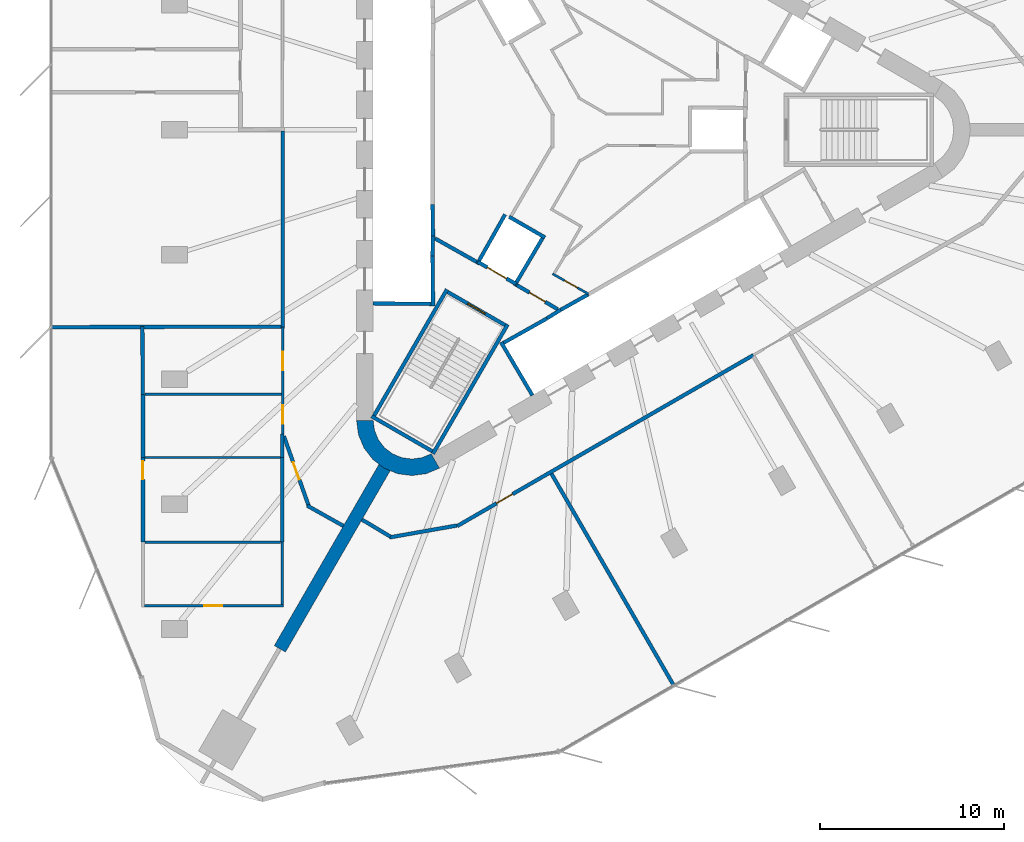
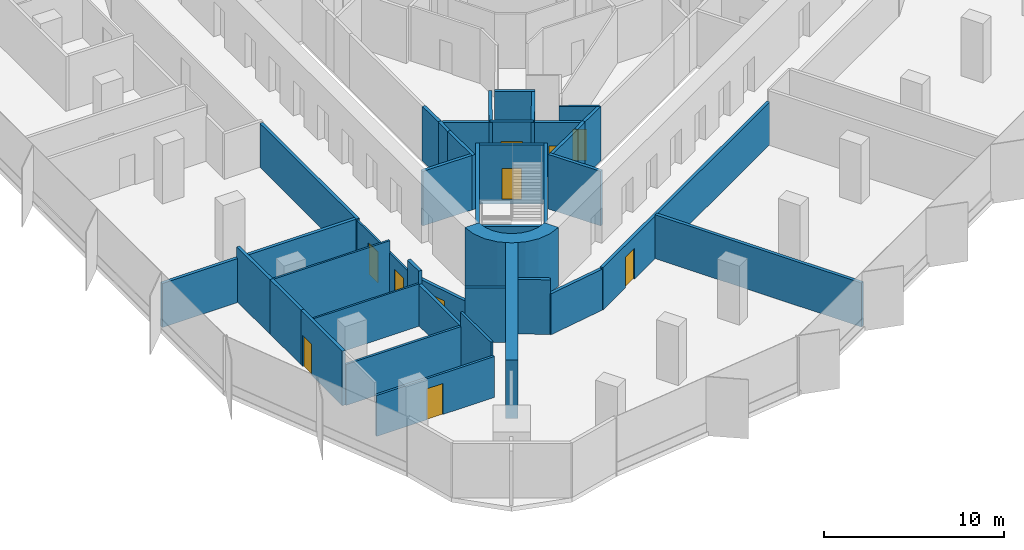
# One storey, part 8 of 14: 40 walls, 10 doors, 10 openings.
"""IFC4 building model written with IfcOpenShell, lengths in metres."""

from ifc_helpers import new_model, si_unit, direction, frame, frame_2d, origin, place, context, subcontext, project, spatial, polyline, rectangle, outline, extrude, material, layer, layer_set, type_object, element, fill, save


model = new_model("IFC4")

# Units and contexts
model_context = context("Model", 3, precision=1e-05, world=origin(), true_north=direction((0.0, 1.0)))
body_context = subcontext(model_context, "Body", "Model", "MODEL_VIEW")
ifc_project = project(units=[si_unit("LENGTHUNIT", "METRE"), si_unit("AREAUNIT", "SQUARE_METRE"), si_unit("VOLUMEUNIT", "CUBIC_METRE"), si_unit("PLANEANGLEUNIT", "RADIAN"), si_unit("MASSUNIT", "GRAM", prefix="KILO")], contexts=[model_context])

# Site, building, storey
site_placement = place(None, origin())
site = spatial("IfcSite", under=ifc_project, at=site_placement, CompositionType="ELEMENT")
building_placement = place(site_placement, origin())
building = spatial("IfcBuilding", under=site, at=building_placement, Name="Tanit Gate Tower", CompositionType="ELEMENT")
storey_placement = place(building_placement, frame((0.0, 0.0, 233.199951171875)))
storey = spatial("IfcBuildingStorey", under=building, at=storey_placement, Name="L52", CompositionType="ELEMENT", Elevation=233.199951171875)

# Walls
ifc_material_1 = material(Name="Concrete C50/60", Category="concrete")
ifc_layer_1 = layer(ifc_material_1, 0.699951171875)
ifc_layer_set_1 = layer_set([ifc_layer_1], Name="BUTTRESS FIN 700 C50/60")
wall_type_1 = type_object("IfcWallType", Name="BUTTRESS FIN 700 C50/60", PredefinedType="SHEAR", material=ifc_layer_set_1)
wall_1_placement = place(storey_placement, frame((-10.574951171875, -18.31640625, 0.0), z_axis=(0.0, 0.0, 1.0), x_axis=(-0.499996344484, -0.866027514288, 0.0)))
element("IfcWall", 1, at=wall_1_placement, inside=storey, type_object=wall_type_1, Name="BUTTRESS FIN", PredefinedType="SHEAR", context=body_context, shape_type="SweptSolid", body=[
    extrude(rectangle(XDim=11.3681640625, YDim=0.699951171875, at=frame_2d((5.68408203125, 0.0))), origin(), (0.0, 0.0, 1.0), 4.0),
])
ifc_material_2 = material(Name="Concrete C50/60", Category="concrete")
ifc_layer_2 = layer(ifc_material_2, 0.89990234375)
ifc_layer_set_2 = layer_set([ifc_layer_2], Name="CORE WALL 900 C50/60")
wall_type_2 = type_object("IfcWallType", Name="CORE WALL 900 C50/60", PredefinedType="SHEAR", material=ifc_layer_set_2)
wall_2_placement = place(storey_placement, origin())
element("IfcWall", 2, at=wall_2_placement, inside=storey, type_object=wall_type_2, Name="CORE WALL CORNER", PredefinedType="SHEAR", context=body_context, shape_type="SweptSolid", body=[
    extrude(outline(polyline([(-12.10009765625, -15.76171875), (-11.997802734375, -16.5380859375), (-11.697998046875, -17.26171875), (-11.22119140625, -17.883056640625), (-10.60009765625, -18.359619140625), (-9.87646484375, -18.659423828125), (-9.10009765625, -18.76171875), (-8.323486328125, -18.659423828125), (-7.60009765625, -18.359619140625), (-8.050048828125, -17.580322265625), (-8.556396484375, -17.7900390625), (-9.10009765625, -17.86181640625), (-9.6435546875, -17.7900390625), (-10.14990234375, -17.580322265625), (-10.5849609375, -17.24658203125), (-10.918701171875, -16.811767578125), (-11.12841796875, -16.30517578125), (-11.199951171875, -15.76171875), (-12.10009765625, -15.76171875)])), origin(), (0.0, 0.0, 1.0), 4.0),
])
ifc_material_3 = material(Name="Fire-rated gypsum board partition")
ifc_layer_3 = layer(ifc_material_3, 0.199951171875)
ifc_layer_set_3 = layer_set([ifc_layer_3], Name="INT-WALL-COMPARTMENT")
wall_type_3 = type_object("IfcWallType", Name="INT-WALL-COMPARTMENT", PredefinedType="PARTITIONING", material=ifc_layer_set_3)
wall_3_placement = place(storey_placement, frame((-7.84912109375, -5.893798828125, 0.0), z_axis=(0.0, 0.0, 1.0), x_axis=(0.871340486379, -0.490678873396, 0.0)))
element("IfcWall", 3, at=wall_3_placement, inside=storey, type_object=wall_type_3, Name="Wall Compartment W065", PredefinedType="PARTITIONING", context=body_context, shape_type="SweptSolid", body=[
    extrude(rectangle(XDim=2.580810546875, YDim=0.199951171875, at=frame_2d((1.29052734375, 0.0))), origin(), (0.0, 0.0, 1.0), 3.699951171875),
])

# Wall, opening, door
wall_4_placement = place(storey_placement, frame((-3.400634765625, -8.43017578125, 0.0), z_axis=(0.0, 0.0, 1.0), x_axis=(0.860598681535, -0.509283721849, 0.0)))
wall_4 = element("IfcWall", 4, at=wall_4_placement, inside=storey, type_object=wall_type_3, Name="Wall Compartment W066", PredefinedType="PARTITIONING", context=body_context, shape_type="SweptSolid", body=[
    extrude(rectangle(XDim=2.5810546875, YDim=0.199951171875, at=frame_2d((1.29052734375, 0.0))), origin(), (0.0, 0.0, 1.0), 3.699951171875),
])
opening_1_placement = place(wall_4_placement, frame((0.79052734375, 0.0, 0.0)))
opening_1 = element("IfcOpeningElement", 5, at=opening_1_placement, cuts=wall_4, Name="Opening F10-S14-08", PredefinedType="OPENING", context=body_context, shape_type="SweptSolid", body=[
    extrude(rectangle(XDim=1.0, YDim=2.10009765625, at=frame_2d((0.5, 1.050048828125))), frame((0.0, 0.10986328125, 0.0), z_axis=(0.0, -1.0, 0.0), x_axis=(1.0, 0.0, 0.0)), (0.0, 0.0, 1.0), 0.219970703125),
])
ifc_material_4 = material(Name="Fire-rated steel door leaf", Category="steel")
door_type_1 = type_object("IfcDoorType", Name="INT-DOOR-FIRE-1000", OperationType="NOTDEFINED", PredefinedType="USERDEFINED", material=ifc_material_4)
door_1_placement = place(opening_1_placement, origin())
door_1 = element("IfcDoor", 6, at=door_1_placement, inside=storey, type_object=door_type_1, Name="Door F10-S14-08", ObjectType="FIRE DOOR", OperationType="SINGLE_SWING_LEFT", OverallHeight=2.10009765625, OverallWidth=1.0, PredefinedType="USERDEFINED", context=body_context, shape_type="SweptSolid", body=[
    extrude(rectangle(XDim=1.0, YDim=2.10009765625, at=frame_2d((0.5, 1.050048828125))), frame((0.0, 0.02490234375, 0.0), z_axis=(0.0, -1.0, 0.0), x_axis=(1.0, 0.0, 0.0)), (0.0, 0.0, 1.0), 0.050048828125),
])
fill(opening_1, door_1)

# Wall
wall_5_placement = place(storey_placement, frame((-14.781005859375, -20.388671875, 0.0), z_axis=(0.0, 0.0, 1.0), x_axis=(0.871979734391, -0.489541972471, 0.0)))
element("IfcWall", 7, at=wall_5_placement, inside=storey, type_object=wall_type_3, Name="Wall Compartment W103", PredefinedType="PARTITIONING", context=body_context, shape_type="SweptSolid", body=[
    extrude(rectangle(XDim=2.256591796875, YDim=0.199951171875, at=frame_2d((1.12841796875, 0.0))), origin(), (0.0, 0.0, 1.0), 3.699951171875),
])

# Wall, opening, door
wall_6_placement = place(storey_placement, frame((-16.04248046875, -16.623046875, 0.0), z_axis=(0.0, 0.0, 1.0), x_axis=(0.335572111171, -0.942014521228, 0.0)))
wall_6 = element("IfcWall", 8, at=wall_6_placement, inside=storey, type_object=wall_type_3, Name="Wall Compartment W104", PredefinedType="PARTITIONING", context=body_context, shape_type="SweptSolid", body=[
    extrude(rectangle(XDim=4.00732421875, YDim=0.199951171875, at=frame_2d((2.003662109375, 0.0))), origin(), (0.0, 0.0, 1.0), 2.780029296875),
])
opening_2_placement = place(wall_6_placement, frame((1.503662109375, 0.0, 0.0)))
opening_2 = element("IfcOpeningElement", 9, at=opening_2_placement, cuts=wall_6, Name="Opening F10-S14-31", PredefinedType="OPENING", context=body_context, shape_type="SweptSolid", body=[
    extrude(rectangle(XDim=1.0, YDim=2.10009765625, at=frame_2d((0.5, 1.050048828125))), frame((0.0, 0.10986328125, 0.0), z_axis=(0.0, -1.0, 0.0), x_axis=(1.0, 0.0, 0.0)), (0.0, 0.0, 1.0), 0.219970703125),
])
door_2_placement = place(opening_2_placement, origin())
door_2 = element("IfcDoor", 10, at=door_2_placement, inside=storey, type_object=door_type_1, Name="Door F10-S14-31", ObjectType="FIRE DOOR", OperationType="SINGLE_SWING_LEFT", OverallHeight=2.10009765625, OverallWidth=1.0, PredefinedType="USERDEFINED", context=body_context, shape_type="SweptSolid", body=[
    extrude(rectangle(XDim=1.0, YDim=2.10009765625, at=frame_2d((0.5, 1.050048828125))), frame((0.0, 0.02490234375, 0.0), z_axis=(0.0, -1.0, 0.0), x_axis=(1.0, 0.0, 0.0)), (0.0, 0.0, 1.0), 0.050048828125),
])
fill(opening_2, door_2)

# Wall
wall_7_placement = place(storey_placement, frame((-16.10009765625, -0.070068359375, 0.0), z_axis=(0.0, 0.0, 1.0), x_axis=(0.0, -1.0, 0.0)))
element("IfcWall", 11, at=wall_7_placement, inside=storey, type_object=wall_type_3, Name="Wall Compartment W105", PredefinedType="PARTITIONING", context=body_context, shape_type="SweptSolid", body=[
    extrude(rectangle(XDim=10.709716796875, YDim=0.199951171875, at=frame_2d((5.35498046875, 0.0))), origin(), (0.0, 0.0, 1.0), 2.97998046875),
])

# Wall, opening, door
wall_8_placement = place(storey_placement, frame((-6.64404296875, -21.5029296875, 0.0), z_axis=(0.0, 0.0, 1.0), x_axis=(0.866020815794, 0.500007946548, 0.0)))
wall_8 = element("IfcWall", 12, at=wall_8_placement, inside=storey, type_object=wall_type_3, Name="Wall Compartment W120", PredefinedType="PARTITIONING", context=body_context, shape_type="SweptSolid", body=[
    extrude(rectangle(XDim=18.555419921875, YDim=0.199951171875, at=frame_2d((9.27783203125, 0.0))), origin(), (0.0, 0.0, 1.0), 2.880126953125),
])
opening_3_placement = place(wall_8_placement, frame((2.476806640625, 0.0, 0.0)))
opening_3 = element("IfcOpeningElement", 13, at=opening_3_placement, cuts=wall_8, Name="Opening F10-S14-38", PredefinedType="OPENING", context=body_context, shape_type="SweptSolid", body=[
    extrude(rectangle(XDim=1.0, YDim=2.10009765625, at=frame_2d((0.5, 1.050048828125))), frame((0.0, 0.10986328125, 0.0), z_axis=(0.0, -1.0, 0.0), x_axis=(1.0, 0.0, 0.0)), (0.0, 0.0, 1.0), 0.219970703125),
])
door_3_placement = place(opening_3_placement, origin())
door_3 = element("IfcDoor", 14, at=door_3_placement, inside=storey, type_object=door_type_1, Name="Door F10-S14-38", ObjectType="FIRE DOOR", OperationType="SINGLE_SWING_LEFT", OverallHeight=2.10009765625, OverallWidth=1.0, PredefinedType="USERDEFINED", context=body_context, shape_type="SweptSolid", body=[
    extrude(rectangle(XDim=1.0, YDim=2.10009765625, at=frame_2d((0.5, 1.050048828125))), frame((0.0, 0.02490234375, 0.0), z_axis=(0.0, -1.0, 0.0), x_axis=(1.0, 0.0, 0.0)), (0.0, 0.0, 1.0), 0.050048828125),
])
fill(opening_3, door_3)

# Walls
wall_9_placement = place(storey_placement, frame((-10.33154296875, -22.118408203125, 0.0), z_axis=(0.0, 0.0, 1.0), x_axis=(0.984805281118, 0.173662195893, 0.0)))
element("IfcWall", 15, at=wall_9_placement, inside=storey, type_object=wall_type_3, Name="Wall Compartment W121", PredefinedType="PARTITIONING", context=body_context, shape_type="SweptSolid", body=[
    extrude(rectangle(XDim=3.732421875, YDim=0.199951171875, at=frame_2d((1.8662109375, 0.0))), origin(), (0.0, 0.0, 1.0), 2.780029296875),
])
wall_10_placement = place(storey_placement, frame((-11.807373046875, -21.15087890625, 0.0), z_axis=(0.0, 0.0, 1.0), x_axis=(0.859102811579, -0.511803047214, 0.0)))
element("IfcWall", 16, at=wall_10_placement, inside=storey, type_object=wall_type_3, Name="Wall Compartment W122", PredefinedType="PARTITIONING", context=body_context, shape_type="SweptSolid", body=[
    extrude(rectangle(XDim=1.8017578125, YDim=0.199951171875, at=frame_2d((0.90087890625, 0.0))), origin(), (0.0, 0.0, 1.0), 3.699951171875),
])
wall_11_placement = place(storey_placement, frame((-28.654296875, -10.710693359375, 0.0), z_axis=(0.0, 0.0, 1.0), x_axis=(0.999996949666, 0.002469951104, 0.0)))
element("IfcWall", 17, at=wall_11_placement, inside=storey, type_object=wall_type_3, Name="Wall Compartment W125", PredefinedType="PARTITIONING", context=body_context, shape_type="SweptSolid", body=[
    extrude(rectangle(XDim=12.454345703125, YDim=0.199951171875, at=frame_2d((6.22705078125, 0.0))), origin(), (0.0, 0.0, 1.0), 2.97998046875),
])
wall_12_placement = place(storey_placement, frame((-23.6904296875, -14.3505859375, 0.0), z_axis=(0.0, 0.0, 1.0), x_axis=(-0.008048698241, 0.999967608704, 0.0)))
element("IfcWall", 18, at=wall_12_placement, inside=storey, type_object=wall_type_3, Name="Wall Compartment W128", PredefinedType="PARTITIONING", context=body_context, shape_type="SweptSolid", body=[
    extrude(rectangle(XDim=3.670166015625, YDim=0.199951171875, at=frame_2d((1.8349609375, 0.0))), origin(), (0.0, 0.0, 1.0), 3.699951171875),
])

# Wall, opening, door
wall_13_placement = place(storey_placement, frame((-23.68994140625, -22.373046875, 0.0), z_axis=(0.0, 0.0, 1.0), x_axis=(0.0, 1.0, 0.0)))
wall_13 = element("IfcWall", 19, at=wall_13_placement, inside=storey, type_object=wall_type_3, Name="Wall Compartment W131", PredefinedType="PARTITIONING", context=body_context, shape_type="SweptSolid", body=[
    extrude(rectangle(XDim=4.60009765625, YDim=0.199951171875, at=frame_2d((2.300048828125, 0.0))), origin(), (0.0, 0.0, 1.0), 3.699951171875),
])
opening_4_placement = place(wall_13_placement, frame((3.400146484375, 0.0, 0.0)))
opening_4 = element("IfcOpeningElement", 20, at=opening_4_placement, cuts=wall_13, Name="Opening F10-S14-29", PredefinedType="OPENING", context=body_context, shape_type="SweptSolid", body=[
    extrude(rectangle(XDim=1.0, YDim=2.10009765625, at=frame_2d((0.5, 1.050048828125))), frame((0.0, 0.10986328125, 0.0), z_axis=(0.0, -1.0, 0.0), x_axis=(1.0, 0.0, 0.0)), (0.0, 0.0, 1.0), 0.219970703125),
])
door_4_placement = place(opening_4_placement, origin())
door_4 = element("IfcDoor", 21, at=door_4_placement, inside=storey, type_object=door_type_1, Name="Door F10-S14-29", ObjectType="FIRE DOOR", OperationType="SINGLE_SWING_LEFT", OverallHeight=2.10009765625, OverallWidth=1.0, PredefinedType="USERDEFINED", context=body_context, shape_type="SweptSolid", body=[
    extrude(rectangle(XDim=1.0, YDim=2.10009765625, at=frame_2d((0.5, 1.050048828125))), frame((0.0, 0.02490234375, 0.0), z_axis=(0.0, -1.0, 0.0), x_axis=(1.0, 0.0, 0.0)), (0.0, 0.0, 1.0), 0.050048828125),
])
fill(opening_4, door_4)

# Walls
wall_14_placement = place(storey_placement, frame((-23.68994140625, -17.77294921875, 0.0), z_axis=(0.0, 0.0, 1.0), x_axis=(0.0, 1.0, 0.0)))
element("IfcWall", 22, at=wall_14_placement, inside=storey, type_object=wall_type_3, Name="Wall Compartment W129", PredefinedType="PARTITIONING", context=body_context, shape_type="SweptSolid", body=[
    extrude(rectangle(XDim=3.42236328125, YDim=0.199951171875, at=frame_2d((1.711181640625, 0.0))), origin(), (0.0, 0.0, 1.0), 3.699951171875),
])
wall_15_placement = place(storey_placement, frame((-16.1298828125, -22.373046875, 0.0), z_axis=(0.0, 0.0, 1.0), x_axis=(0.0, 1.0, 0.0)))
element("IfcWall", 23, at=wall_15_placement, inside=storey, type_object=wall_type_3, Name="Wall Compartment W132", PredefinedType="PARTITIONING", context=body_context, shape_type="SweptSolid", body=[
    extrude(rectangle(XDim=4.60009765625, YDim=0.199951171875, at=frame_2d((2.300048828125, 0.0))), origin(), (0.0, 0.0, 1.0), 2.780029296875),
])
wall_16_placement = place(storey_placement, frame((-16.1298828125, -17.77294921875, 0.0), z_axis=(0.0, 0.0, 1.0), x_axis=(0.0, 1.0, 0.0)))
element("IfcWall", 24, at=wall_16_placement, inside=storey, type_object=wall_type_3, Name="Wall Compartment W130", PredefinedType="PARTITIONING", context=body_context, shape_type="SweptSolid", body=[
    extrude(rectangle(XDim=1.26025390625, YDim=0.199951171875, at=frame_2d((0.630126953125, 0.0))), origin(), (0.0, 0.0, 1.0), 3.699951171875),
])
wall_17_placement = place(storey_placement, frame((5.104248046875, -30.14208984375, 0.0), z_axis=(0.0, 0.0, 1.0), x_axis=(-0.500068930226, 0.865985603242, 0.0)))
element("IfcWall", 25, at=wall_17_placement, inside=storey, type_object=wall_type_3, Name="Wall Compartment W152", PredefinedType="PARTITIONING", context=body_context, shape_type="SweptSolid", body=[
    extrude(rectangle(XDim=13.256103515625, YDim=0.199951171875, at=frame_2d((6.6279296875, 0.0))), origin(), (0.0, 0.0, 1.0), 2.97998046875),
])

# Wall, opening, door
ifc_material_5 = material(Name="Gypsum board partition")
ifc_layer_4 = layer(ifc_material_5, 0.1201171875)
ifc_layer_set_4 = layer_set([ifc_layer_4], Name="INT-WALL-PARTITION")
wall_type_4 = type_object("IfcWallType", Name="INT-WALL-PARTITION", PredefinedType="PARTITIONING", material=ifc_layer_set_4)
wall_18_placement = place(storey_placement, frame((-1.464111328125, -7.81591796875, 0.0), z_axis=(0.0, 0.0, 1.0), x_axis=(0.871880202732, -0.489719217597, 0.0)))
wall_18 = element("IfcWall", 26, at=wall_18_placement, inside=storey, type_object=wall_type_4, Name="Wall Partition W071", PredefinedType="PARTITIONING", context=body_context, shape_type="SweptSolid", body=[
    extrude(rectangle(XDim=2.224365234375, YDim=0.1201171875, at=frame_2d((1.1123046875, 0.0))), origin(), (0.0, 0.0, 1.0), 3.699951171875),
])
opening_5_placement = place(wall_18_placement, frame((0.7421875, 0.0, 0.0)))
opening_5 = element("IfcOpeningElement", 27, at=opening_5_placement, cuts=wall_18, Name="Opening R08-S14-11", PredefinedType="OPENING", context=body_context, shape_type="SweptSolid", body=[
    extrude(rectangle(XDim=0.800048828125, YDim=2.10009765625, at=frame_2d((0.39990234375, 1.050048828125))), frame((0.0, 0.070068359375, 0.0), z_axis=(0.0, -1.0, 0.0), x_axis=(1.0, 0.0, 0.0)), (0.0, 0.0, 1.0), 0.14013671875),
])
ifc_material_6 = material(Name="Timber door leaf", Category="wood")
door_type_2 = type_object("IfcDoorType", Name="INT-DOOR-RISER-800", OperationType="NOTDEFINED", PredefinedType="USERDEFINED", material=ifc_material_6)
door_5_placement = place(opening_5_placement, origin())
door_5 = element("IfcDoor", 28, at=door_5_placement, inside=storey, type_object=door_type_2, Name="Door R08-S14-11", ObjectType="FIRE DOOR", OperationType="SINGLE_SWING_RIGHT", OverallHeight=2.10009765625, OverallWidth=0.800048828125, PredefinedType="USERDEFINED", context=body_context, shape_type="SweptSolid", body=[
    extrude(rectangle(XDim=0.800048828125, YDim=2.10009765625, at=frame_2d((0.39990234375, 1.050048828125))), frame((0.0, 0.02490234375, 0.0), z_axis=(0.0, -1.0, 0.0), x_axis=(1.0, 0.0, 0.0)), (0.0, 0.0, 1.0), 0.050048828125),
])
fill(opening_5, door_5)

# Wall, openings, doors
wall_19_placement = place(storey_placement, frame((-16.10009765625, -10.709716796875, 0.0), z_axis=(0.0, 0.0, 1.0), x_axis=(0.0, -1.0, 0.0)))
wall_19 = element("IfcWall", 29, at=wall_19_placement, inside=storey, type_object=wall_type_4, Name="Wall Partition W106", PredefinedType="PARTITIONING", context=body_context, shape_type="SweptSolid", body=[
    extrude(rectangle(XDim=5.802978515625, YDim=0.1201171875, at=frame_2d((2.9013671875, 0.0))), origin(), (0.0, 0.0, 1.0), 2.880126953125),
])
opening_6_placement = place(wall_19_placement, frame((1.335205078125, 0.0, 0.0)))
opening_6 = element("IfcOpeningElement", 30, at=opening_6_placement, cuts=wall_19, Name="Opening D10-S14-27", PredefinedType="OPENING", context=body_context, shape_type="SweptSolid", body=[
    extrude(rectangle(XDim=1.0, YDim=2.10009765625, at=frame_2d((0.5, 1.050048828125))), frame((0.0, 0.070068359375, 0.0), z_axis=(0.0, -1.0, 0.0), x_axis=(1.0, 0.0, 0.0)), (0.0, 0.0, 1.0), 0.14013671875),
])
opening_7_placement = place(wall_19_placement, frame((4.23681640625, 0.0, 0.0)))
opening_7 = element("IfcOpeningElement", 31, at=opening_7_placement, cuts=wall_19, Name="Opening D10-S14-28", PredefinedType="OPENING", context=body_context, shape_type="SweptSolid", body=[
    extrude(rectangle(XDim=1.0, YDim=2.10009765625, at=frame_2d((0.5, 1.050048828125))), frame((0.0, 0.070068359375, 0.0), z_axis=(0.0, -1.0, 0.0), x_axis=(1.0, 0.0, 0.0)), (0.0, 0.0, 1.0), 0.14013671875),
])
ifc_material_7 = material(Name="Timber door leaf", Category="wood")
door_type_3 = type_object("IfcDoorType", Name="INT-DOOR-SINGLE-1000", OperationType="NOTDEFINED", PredefinedType="NOTDEFINED", material=ifc_material_7)
door_6_placement = place(opening_6_placement, origin())
door_6 = element("IfcDoor", 32, at=door_6_placement, inside=storey, type_object=door_type_3, Name="Door D10-S14-27", OperationType="SINGLE_SWING_RIGHT", OverallHeight=2.10009765625, OverallWidth=1.0, PredefinedType="NOTDEFINED", context=body_context, shape_type="SweptSolid", body=[
    extrude(rectangle(XDim=1.0, YDim=2.10009765625, at=frame_2d((0.5, 1.050048828125))), frame((0.0, 0.02490234375, 0.0), z_axis=(0.0, -1.0, 0.0), x_axis=(1.0, 0.0, 0.0)), (0.0, 0.0, 1.0), 0.050048828125),
])
fill(opening_6, door_6)
door_7_placement = place(opening_7_placement, origin())
door_7 = element("IfcDoor", 33, at=door_7_placement, inside=storey, type_object=door_type_3, Name="Door D10-S14-28", OperationType="SINGLE_SWING_RIGHT", OverallHeight=2.10009765625, OverallWidth=1.0, PredefinedType="NOTDEFINED", context=body_context, shape_type="SweptSolid", body=[
    extrude(rectangle(XDim=1.0, YDim=2.10009765625, at=frame_2d((0.5, 1.050048828125))), frame((0.0, 0.02490234375, 0.0), z_axis=(0.0, -1.0, 0.0), x_axis=(1.0, 0.0, 0.0)), (0.0, 0.0, 1.0), 0.050048828125),
])
fill(opening_7, door_7)

# Walls
wall_20_placement = place(storey_placement, frame((-23.590087890625, -14.3505859375, 0.0), z_axis=(0.0, 0.0, 1.0), x_axis=(1.0, 0.0, 0.0)))
element("IfcWall", 34, at=wall_20_placement, inside=storey, type_object=wall_type_4, Name="Wall Partition W157", PredefinedType="PARTITIONING", context=body_context, shape_type="SweptSolid", body=[
    extrude(rectangle(XDim=7.460205078125, YDim=0.1201171875, at=frame_2d((3.72998046875, 0.0))), origin(), (0.0, 0.0, 1.0), 3.699951171875),
])
wall_21_placement = place(storey_placement, frame((-16.22998046875, -17.77294921875, 0.0), z_axis=(0.0, 0.0, 1.0), x_axis=(-1.0, 0.0, 0.0)))
element("IfcWall", 35, at=wall_21_placement, inside=storey, type_object=wall_type_4, Name="Wall Partition W158", PredefinedType="PARTITIONING", context=body_context, shape_type="SweptSolid", body=[
    extrude(rectangle(XDim=7.360107421875, YDim=0.1201171875, at=frame_2d((3.68017578125, 0.0))), origin(), (0.0, 0.0, 1.0), 2.880126953125),
])

# Wall, opening, door
ifc_material_8 = material(Name="Fire-rated gypsum board partition")
ifc_layer_5 = layer(ifc_material_8, 0.14990234375)
ifc_layer_set_5 = layer_set([ifc_layer_5], Name="INT-WALL-RISER")
wall_type_5 = type_object("IfcWallType", Name="INT-WALL-RISER", PredefinedType="PLUMBINGWALL", material=ifc_layer_set_5)
wall_22_placement = place(storey_placement, frame((-23.614990234375, -25.820068359375, 0.0), z_axis=(0.0, 0.0, 1.0), x_axis=(1.0, 0.0, 0.0)))
wall_22 = element("IfcWall", 36, at=wall_22_placement, inside=storey, type_object=wall_type_5, Name="Wall Riser W134", PredefinedType="PLUMBINGWALL", context=body_context, shape_type="SweptSolid", body=[
    extrude(rectangle(XDim=7.56005859375, YDim=0.14990234375, at=frame_2d((3.780029296875, 0.0))), origin(), (0.0, 0.0, 1.0), 2.780029296875),
])
opening_8_placement = place(wall_22_placement, frame((3.242431640625, 0.0, 0.0)))
opening_8 = element("IfcOpeningElement", 37, at=opening_8_placement, cuts=wall_22, Name="Opening F10-S14-30", PredefinedType="OPENING", context=body_context, shape_type="SweptSolid", body=[
    extrude(rectangle(XDim=1.0, YDim=2.10009765625, at=frame_2d((0.5, 1.050048828125))), frame((0.0, 0.0849609375, 0.0), z_axis=(0.0, -1.0, 0.0), x_axis=(1.0, 0.0, 0.0)), (0.0, 0.0, 1.0), 0.169921875),
])
door_8_placement = place(opening_8_placement, origin())
door_8 = element("IfcDoor", 38, at=door_8_placement, inside=storey, type_object=door_type_1, Name="Door F10-S14-30", ObjectType="FIRE DOOR", OperationType="SINGLE_SWING_RIGHT", OverallHeight=2.10009765625, OverallWidth=1.0, PredefinedType="USERDEFINED", context=body_context, shape_type="SweptSolid", body=[
    extrude(rectangle(XDim=1.0, YDim=2.10009765625, at=frame_2d((0.5, 1.050048828125))), frame((0.0, 0.02490234375, 0.0), z_axis=(0.0, -1.0, 0.0), x_axis=(1.0, 0.0, 0.0)), (0.0, 0.0, 1.0), 0.050048828125),
])
fill(opening_8, door_8)

# Walls
wall_23_placement = place(storey_placement, frame((-16.1298828125, -25.7451171875, 0.0), z_axis=(0.0, 0.0, 1.0), x_axis=(0.0, 1.0, 0.0)))
element("IfcWall", 39, at=wall_23_placement, inside=storey, type_object=wall_type_5, Name="Wall Riser W135", PredefinedType="PLUMBINGWALL", context=body_context, shape_type="SweptSolid", body=[
    extrude(rectangle(XDim=3.3720703125, YDim=0.14990234375, at=frame_2d((1.68603515625, 0.0))), origin(), (0.0, 0.0, 1.0), 3.699951171875),
])
wall_24_placement = place(storey_placement, frame((-23.590087890625, -22.38037109375, 0.0), z_axis=(0.0, 0.0, 1.0), x_axis=(1.0, 0.0, 0.0)))
element("IfcWall", 40, at=wall_24_placement, inside=storey, type_object=wall_type_5, Name="Wall Riser W159", PredefinedType="PLUMBINGWALL", context=body_context, shape_type="SweptSolid", body=[
    extrude(rectangle(XDim=7.360107421875, YDim=0.14990234375, at=frame_2d((3.68017578125, 0.0))), origin(), (0.0, 0.0, 1.0), 2.780029296875),
])
ifc_material_9 = material(Name="Gypsum shaft wall system")
ifc_layer_6 = layer(ifc_material_9, 0.199951171875)
ifc_layer_set_6 = layer_set([ifc_layer_6], Name="INT-WALL-SHAFT")
wall_type_6 = type_object("IfcWallType", Name="INT-WALL-SHAFT", PredefinedType="PLUMBINGWALL", material=ifc_layer_set_6)
wall_25_placement = place(storey_placement, frame((-7.949951171875, -5.7724609375, 0.0), z_axis=(0.0, 0.0, 1.0), x_axis=(-0.030803413295, -0.999525462272, 0.0)))
element("IfcWall", 41, at=wall_25_placement, inside=storey, type_object=wall_type_6, Name="Wall Shaft W008", PredefinedType="PLUMBINGWALL", context=body_context, shape_type="SweptSolid", body=[
    extrude(rectangle(XDim=1.077880859375, YDim=0.199951171875, at=frame_2d((0.5390625, 0.0))), origin(), (0.0, 0.0, 1.0), 3.699951171875),
])
wall_26_placement = place(storey_placement, frame((-7.97998046875, -4.050048828125, 0.0), z_axis=(0.0, 0.0, 1.0), x_axis=(0.016809909365, -0.999858703491, 0.0)))
element("IfcWall", 42, at=wall_26_placement, inside=storey, type_object=wall_type_6, Name="Wall Shaft W009", PredefinedType="PLUMBINGWALL", context=body_context, shape_type="SweptSolid", body=[
    extrude(rectangle(XDim=1.844482421875, YDim=0.199951171875, at=frame_2d((0.92236328125, 0.0))), origin(), (0.0, 0.0, 1.0), 3.699951171875),
])
wall_27_placement = place(storey_placement, frame((-7.97900390625, -6.85009765625, 0.0), z_axis=(0.0, 0.0, 1.0), x_axis=(0.011121475088, -0.999938154483, 0.0)))
element("IfcWall", 43, at=wall_27_placement, inside=storey, type_object=wall_type_6, Name="Wall Shaft W010", PredefinedType="PLUMBINGWALL", context=body_context, shape_type="SweptSolid", body=[
    extrude(rectangle(XDim=2.7001953125, YDim=0.199951171875, at=frame_2d((1.35009765625, 0.0))), origin(), (0.0, 0.0, 1.0), 3.699951171875),
])
wall_28_placement = place(storey_placement, frame((-8.050048828125, -9.448974609375, 0.0), z_axis=(0.0, 0.0, 1.0), x_axis=(-0.999957467379, 0.009222983926, 0.0)))
element("IfcWall", 44, at=wall_28_placement, inside=storey, type_object=wall_type_6, Name="Wall Shaft W011", PredefinedType="PLUMBINGWALL", context=body_context, shape_type="SweptSolid", body=[
    extrude(rectangle(XDim=3.150146484375, YDim=0.199951171875, at=frame_2d((1.5751953125, 0.0))), origin(), (0.0, 0.0, 1.0), 3.699951171875),
])
wall_29_placement = place(storey_placement, frame((-2.557861328125, -14.409423828125, 0.0), z_axis=(0.0, 0.0, 1.0), x_axis=(-0.507997497166, 0.861358544901, 0.0)))
element("IfcWall", 45, at=wall_29_placement, inside=storey, type_object=wall_type_6, Name="Wall Shaft W019", PredefinedType="PLUMBINGWALL", context=body_context, shape_type="SweptSolid", body=[
    extrude(rectangle(XDim=3.350341796875, YDim=0.199951171875, at=frame_2d((1.67529296875, 0.0))), origin(), (0.0, 0.0, 1.0), 3.699951171875),
])
wall_30_placement = place(storey_placement, frame((-1.7685546875, -10.23681640625, 0.0), z_axis=(0.0, 0.0, 1.0), x_axis=(-0.871534483978, -0.490334215854, 0.0)))
element("IfcWall", 46, at=wall_30_placement, inside=storey, type_object=wall_type_6, Name="Wall Shaft W020", PredefinedType="PLUMBINGWALL", context=body_context, shape_type="SweptSolid", body=[
    extrude(rectangle(XDim=2.7001953125, YDim=0.199951171875, at=frame_2d((1.35009765625, 0.0))), origin(), (0.0, 0.0, 1.0), 3.699951171875),
])
wall_31_placement = place(storey_placement, frame((-1.02392578125, -9.77099609375, 0.0), z_axis=(0.0, 0.0, 1.0), x_axis=(-0.850348075135, -0.526220629693, 0.0)))
element("IfcWall", 47, at=wall_31_placement, inside=storey, type_object=wall_type_6, Name="Wall Shaft W021", PredefinedType="PLUMBINGWALL", context=body_context, shape_type="SweptSolid", body=[
    extrude(rectangle(XDim=0.878173828125, YDim=0.199951171875, at=frame_2d((0.43896484375, 0.0))), origin(), (0.0, 0.0, 1.0), 3.699951171875),
])
wall_32_placement = place(storey_placement, frame((-1.13037109375, -9.83154296875, 0.0), z_axis=(0.0, 0.0, 1.0), x_axis=(0.871988740738, 0.489525929882, 0.0)))
element("IfcWall", 48, at=wall_32_placement, inside=storey, type_object=wall_type_6, Name="Wall Shaft W022", PredefinedType="PLUMBINGWALL", context=body_context, shape_type="SweptSolid", body=[
    extrude(rectangle(XDim=1.8447265625, YDim=0.199951171875, at=frame_2d((0.92236328125, 0.0))), origin(), (0.0, 0.0, 1.0), 3.699951171875),
])

# Wall, opening, door
wall_33_placement = place(storey_placement, frame((-3.44580078125, -8.3681640625, 0.0), z_axis=(0.0, 0.0, 1.0), x_axis=(-0.866024647952, 0.500001309137, 0.0)))
wall_33 = element("IfcWall", 49, at=wall_33_placement, inside=storey, type_object=wall_type_6, Name="Wall Shaft W045", PredefinedType="PLUMBINGWALL", context=body_context, shape_type="SweptSolid", body=[
    extrude(rectangle(XDim=2.39990234375, YDim=0.199951171875, at=frame_2d((1.199951171875, 0.0))), origin(), (0.0, 0.0, 1.0), 3.699951171875),
])
opening_9_placement = place(wall_33_placement, frame((0.60009765625, 0.0, 0.0)))
opening_9 = element("IfcOpeningElement", 50, at=opening_9_placement, cuts=wall_33, Name="Opening LDFL3-L52", PredefinedType="OPENING", context=body_context, shape_type="SweptSolid", body=[
    extrude(rectangle(XDim=1.199951171875, YDim=2.39990234375, at=frame_2d((0.60009765625, 1.199951171875))), frame((0.0, 0.10986328125, 0.0), z_axis=(0.0, -1.0, 0.0), x_axis=(1.0, 0.0, 0.0)), (0.0, 0.0, 1.0), 0.219970703125),
])
ifc_material_10 = material(Name="Stainless steel sliding door leaf", Category="steel")
door_type_4 = type_object("IfcDoorType", Name="INT-DOOR-LANDING-1200", OperationType="NOTDEFINED", PredefinedType="USERDEFINED", material=ifc_material_10)
door_9_placement = place(opening_9_placement, origin())
door_9 = element("IfcDoor", 51, at=door_9_placement, inside=storey, type_object=door_type_4, Name="Door LDFL3-L52", ObjectType="LANDING DOOR", OperationType="SLIDING_TO_LEFT", OverallHeight=2.39990234375, OverallWidth=1.199951171875, PredefinedType="USERDEFINED", context=body_context, shape_type="SweptSolid", body=[
    extrude(rectangle(XDim=1.199951171875, YDim=2.39990234375, at=frame_2d((0.60009765625, 1.199951171875))), frame((0.0, 0.02490234375, 0.0), z_axis=(0.0, -1.0, 0.0), x_axis=(1.0, 0.0, 0.0)), (0.0, 0.0, 1.0), 0.050048828125),
])
fill(opening_9, door_9)

# Walls
wall_34_placement = place(storey_placement, frame((-5.5625, -7.29638671875, 0.0), z_axis=(0.0, 0.0, 1.0), x_axis=(0.491322718731, 0.870977603649, 0.0)))
element("IfcWall", 52, at=wall_34_placement, inside=storey, type_object=wall_type_6, Name="Wall Shaft W046", PredefinedType="PLUMBINGWALL", context=body_context, shape_type="SweptSolid", body=[
    extrude(rectangle(XDim=3.10009765625, YDim=0.199951171875, at=frame_2d((1.550048828125, 0.0))), origin(), (0.0, 0.0, 1.0), 3.699951171875),
])
wall_35_placement = place(storey_placement, frame((-3.82666015625, -4.718994140625, 0.0), z_axis=(0.0, 0.0, 1.0), x_axis=(0.866028691075, -0.499994306202, 0.0)))
element("IfcWall", 53, at=wall_35_placement, inside=storey, type_object=wall_type_6, Name="Wall Shaft W047", PredefinedType="PLUMBINGWALL", context=body_context, shape_type="SweptSolid", body=[
    extrude(rectangle(XDim=2.25439453125, YDim=0.199951171875, at=frame_2d((1.127197265625, 0.0))), origin(), (0.0, 0.0, 1.0), 3.699951171875),
])
wall_36_placement = place(storey_placement, frame((-2.01171875, -5.88232421875, 0.0), z_axis=(0.0, 0.0, 1.0), x_axis=(-0.508619639323, -0.860991325447, 0.0)))
element("IfcWall", 54, at=wall_36_placement, inside=storey, type_object=wall_type_6, Name="Wall Shaft W048", PredefinedType="PLUMBINGWALL", context=body_context, shape_type="SweptSolid", body=[
    extrude(rectangle(XDim=3.0, YDim=0.199951171875, at=frame_2d((1.5, 0.0))), origin(), (0.0, 0.0, 1.0), 3.699951171875),
])
ifc_material_11 = material(Name="Concrete C40/50", Category="concrete")
ifc_layer_7 = layer(ifc_material_11, 0.199951171875)
ifc_layer_set_7 = layer_set([ifc_layer_7], Name="INT-WALL-STAIR")
wall_type_7 = type_object("IfcWallType", Name="INT-WALL-STAIR", PredefinedType="SHEAR", material=ifc_layer_set_7)
wall_37_placement = place(storey_placement, frame((-3.904541015625, -10.56298828125, -0.300048828125), z_axis=(0.0, 0.0, 1.0), x_axis=(-0.500012932018, -0.866017937352, 0.0)))
element("IfcWall", 55, at=wall_37_placement, inside=storey, type_object=wall_type_7, Name="Wall Stair W041", PredefinedType="SHEAR", context=body_context, shape_type="SweptSolid", body=[
    extrude(rectangle(XDim=8.099853515625, YDim=0.199951171875, at=frame_2d((4.0498046875, 0.0))), origin(), (0.0, 0.0, 1.0), 4.0),
])
wall_38_placement = place(storey_placement, frame((-11.281982421875, -15.541015625, -0.300048828125), z_axis=(0.0, 0.0, 1.0), x_axis=(0.866000483506, -0.500043160704, 0.0)))
element("IfcWall", 56, at=wall_38_placement, inside=storey, type_object=wall_type_7, Name="Wall Stair W042", PredefinedType="SHEAR", context=body_context, shape_type="SweptSolid", body=[
    extrude(rectangle(XDim=3.800048828125, YDim=0.199951171875, at=frame_2d((1.89990234375, 0.0))), origin(), (0.0, 0.0, 1.0), 4.0),
])
wall_39_placement = place(storey_placement, frame((-7.195556640625, -8.662841796875, -0.300048828125), z_axis=(0.0, 0.0, 1.0), x_axis=(-0.499997992926, -0.866026562566, 0.0)))
element("IfcWall", 57, at=wall_39_placement, inside=storey, type_object=wall_type_7, Name="Wall Stair W043", PredefinedType="SHEAR", context=body_context, shape_type="SweptSolid", body=[
    extrude(rectangle(XDim=7.89990234375, YDim=0.199951171875, at=frame_2d((3.949951171875, 0.0))), origin(), (0.0, 0.0, 1.0), 4.0),
])

# Wall, opening, door
wall_40_placement = place(storey_placement, frame((-4.041259765625, -10.599365234375, -0.300048828125), z_axis=(0.0, 0.0, 1.0), x_axis=(-0.866047807691, 0.499961193289, 0.0)))
wall_40 = element("IfcWall", 58, at=wall_40_placement, inside=storey, type_object=wall_type_7, Name="Wall Stair W044", PredefinedType="SHEAR", context=body_context, shape_type="SweptSolid", body=[
    extrude(rectangle(XDim=3.599853515625, YDim=0.199951171875, at=frame_2d((1.7998046875, 0.0))), origin(), (0.0, 0.0, 1.0), 4.0),
])
opening_10_placement = place(wall_40_placement, frame((1.25, 0.0, 0.300048828125)))
opening_10 = element("IfcOpeningElement", 59, at=opening_10_placement, cuts=wall_40, Name="Opening S11-S14-07", PredefinedType="OPENING", context=body_context, shape_type="SweptSolid", body=[
    extrude(rectangle(XDim=1.10009765625, YDim=2.10009765625, at=frame_2d((0.550048828125, 1.050048828125))), frame((0.0, 0.10986328125, 0.0), z_axis=(0.0, -1.0, 0.0), x_axis=(1.0, 0.0, 0.0)), (0.0, 0.0, 1.0), 0.219970703125),
])
ifc_material_12 = material(Name="Timber door leaf", Category="wood")
door_type_5 = type_object("IfcDoorType", Name="INT-DOOR-STAIR-1100", OperationType="NOTDEFINED", PredefinedType="USERDEFINED", material=ifc_material_12)
door_10_placement = place(opening_10_placement, origin())
door_10 = element("IfcDoor", 60, at=door_10_placement, inside=storey, type_object=door_type_5, Name="Door S11-S14-07", ObjectType="FIRE DOOR", OperationType="SINGLE_SWING_RIGHT", OverallHeight=2.10009765625, OverallWidth=1.10009765625, PredefinedType="USERDEFINED", context=body_context, shape_type="SweptSolid", body=[
    extrude(rectangle(XDim=1.10009765625, YDim=2.10009765625, at=frame_2d((0.550048828125, 1.050048828125))), frame((0.0, 0.02490234375, 0.0), z_axis=(0.0, -1.0, 0.0), x_axis=(1.0, 0.0, 0.0)), (0.0, 0.0, 1.0), 0.050048828125),
])
fill(opening_10, door_10)

save(model, "model.ifc")
